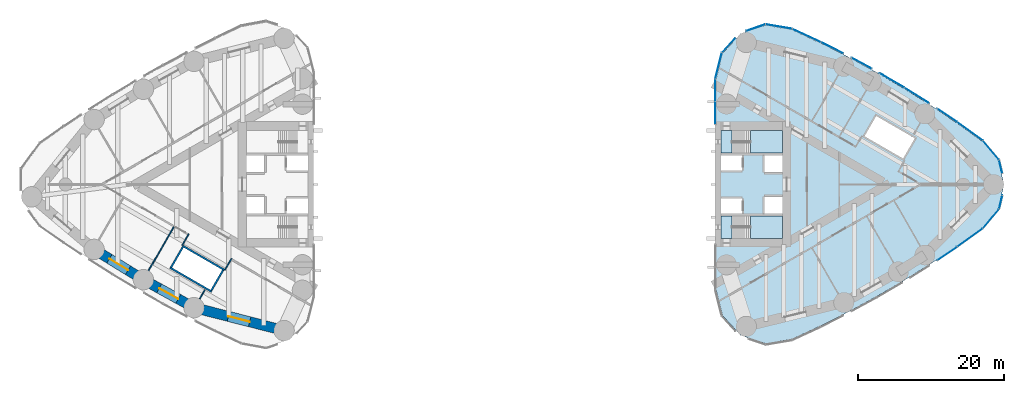
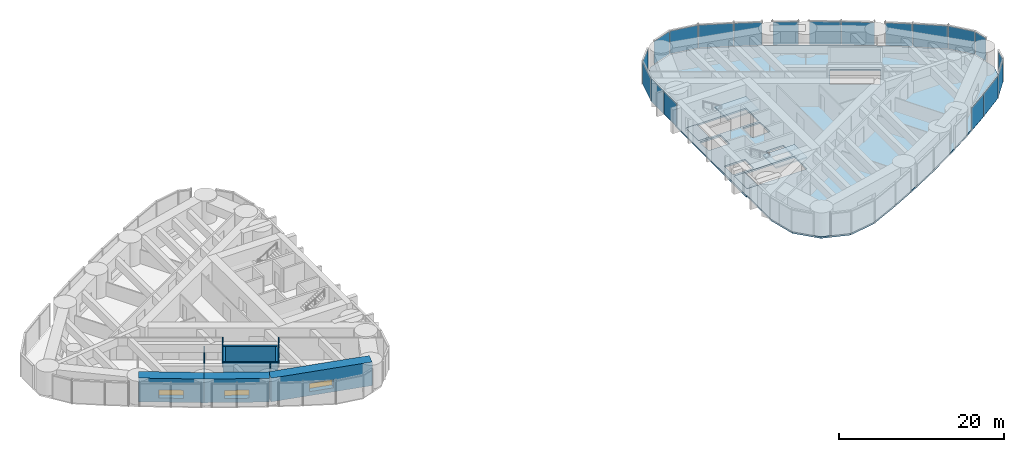
# One storey, part 11 of 17: 19 plates, 11 walls, 5 slabs, 3 windows, 3 openings, 8 elements without a shape of their own.
"""IFC4 building model written with IfcOpenShell, lengths in metres."""

from ifc_helpers import new_model, si_unit, direction, frame, frame_2d, origin, origin_2d, place, context, subcontext, project, spatial, polyline, rectangle, outline, extrude, material, layer, layer_set, type_object, element, fill, aggregate, save


model = new_model("IFC4")

# Units and contexts
model_context = context("Model", 3, precision=1e-05, world=origin(), true_north=direction((0.0, 1.0)))
body_context = subcontext(model_context, "Body", "Model", "MODEL_VIEW")
ifc_project = project(units=[si_unit("LENGTHUNIT", "METRE"), si_unit("AREAUNIT", "SQUARE_METRE"), si_unit("VOLUMEUNIT", "CUBIC_METRE"), si_unit("PLANEANGLEUNIT", "RADIAN"), si_unit("MASSUNIT", "GRAM", prefix="KILO")], contexts=[model_context])

# Site, building, storey
site_placement = place(None, origin())
site = spatial("IfcSite", under=ifc_project, at=site_placement, CompositionType="ELEMENT")
building_placement = place(site_placement, origin())
building = spatial("IfcBuilding", under=site, at=building_placement, Name="Lancet Gate Hotel", CompositionType="ELEMENT")
storey_placement = place(building_placement, frame((0.0, 0.0, 201.800048828125)))
storey = spatial("IfcBuildingStorey", under=building, at=storey_placement, Name="L54", CompositionType="ELEMENT", Elevation=201.800048828125)

# Slab
ifc_material_1 = material(Name="Concrete C50/60", Category="concrete")
ifc_layer_1 = layer(ifc_material_1, 0.25)
ifc_layer_set_1 = layer_set([ifc_layer_1], Name="Floor slab 250")
slab_type_1 = type_object("IfcSlabType", Name="Floor slab 250", PredefinedType="FLOOR", material=ifc_layer_set_1)
slab_1_placement = place(storey_placement, frame((0.0, 0.0, -0.25)))
element("IfcSlab", 1, at=slab_1_placement, inside=storey, type_object=slab_type_1, Name="T2 L54 floor slab", PredefinedType="FLOOR", context=body_context, shape_type="SweptSolid", body=[
    extrude(outline(polyline([(27.5, -8.60009765625), (27.6201171875, -8.60009765625), (27.6201171875, -14.450439453125), (28.517822265625, -17.9853515625), (30.98291015625, -20.65185546875), (34.421875, -21.819091796875), (38.01513671875, -21.201171875), (41.9296875, -19.383056640625), (45.796875, -17.435302734375), (49.6005859375, -15.36572265625), (53.336669921875, -13.1767578125), (57.00146484375, -10.87060546875), (60.591552734375, -8.44921875), (64.092041015625, -5.9228515625), (66.283447265625, -3.307373046875), (67.06640625, 0.0), (66.283447265625, 3.307373046875), (64.092041015625, 5.9228515625), (60.591552734375, 8.44921875), (57.00146484375, 10.87060546875), (53.336669921875, 13.1767578125), (49.6005859375, 15.36572265625), (45.796875, 17.435302734375), (41.9296875, 19.383056640625), (38.01513671875, 21.201171875), (34.421875, 21.819091796875), (30.98291015625, 20.65185546875), (28.517822265625, 17.9853515625), (27.6201171875, 14.450439453125), (27.6201171875, 8.60009765625), (27.5, 8.60009765625), (27.5, 8.199951171875), (27.5, -8.199951171875), (27.5, -8.60009765625)]), holes=[polyline([(36.699951171875, -7.39990234375), (36.699951171875, -4.300048828125), (28.300048828125, -4.300048828125), (28.300048828125, -7.39990234375), (36.699951171875, -7.39990234375)]), polyline([(28.300048828125, -4.0), (31.199951171875, -4.0), (31.199951171875, -1.89990234375), (28.300048828125, -1.89990234375), (28.300048828125, -4.0)]), polyline([(34.25, -4.0), (36.699951171875, -4.0), (36.699951171875, -1.64990234375), (34.25, -1.64990234375), (34.25, -4.0)]), polyline([(36.699951171875, 1.64990234375), (36.699951171875, 4.0), (34.25, 4.0), (34.25, 1.64990234375), (36.699951171875, 1.64990234375)]), polyline([(28.300048828125, 1.89990234375), (31.199951171875, 1.89990234375), (31.199951171875, 4.0), (28.300048828125, 4.0), (28.300048828125, 1.89990234375)]), polyline([(28.300048828125, 4.300048828125), (36.699951171875, 4.300048828125), (36.699951171875, 7.39990234375), (28.300048828125, 7.39990234375), (28.300048828125, 4.300048828125)]), polyline([(53.242919921875, 3.555908203125), (54.843017578125, 6.326904296875), (49.56103515625, 9.376953125), (47.9609375, 6.60595703125), (53.242919921875, 3.555908203125)])]), origin(), (0.0, 0.0, 1.0), 0.25),
])

# Stair, slabs
ifc_material_2 = material(Name="Exit stair 20 risers 1500")
stair_type = type_object("IfcStairType", Name="Exit stair 20 risers 1500", PredefinedType="HALF_TURN_STAIR", material=ifc_material_2)
stair_1_placement = place(storey_placement, origin())
stair_1 = element("IfcStair", 2, at=stair_1_placement, inside=storey, type_object=stair_type, Name="T2 stair 1 L54", PredefinedType="HALF_TURN_STAIR")
ifc_material_3 = material(Name="Concrete C40/50", Category="concrete")
ifc_layer_2 = layer(ifc_material_3, 0.199951171875)
ifc_layer_set_2 = layer_set([ifc_layer_2], Name="Stair landing 200")
slab_type_2 = type_object("IfcSlabType", Name="Stair landing 200", PredefinedType="LANDING", material=ifc_layer_set_2)
slab_2_placement = place(storey_placement, frame((0.0, 0.0, -0.199951171875)))
slab_2 = element("IfcSlab", 3, at=slab_2_placement, type_object=slab_type_2, Name="ST3 landing 1", PredefinedType="LANDING", context=body_context, shape_type="SweptSolid", body=[
    extrude(outline(polyline([(28.300048828125, -7.39990234375), (29.800048828125, -7.39990234375), (29.800048828125, -4.300048828125), (28.300048828125, -4.300048828125), (28.300048828125, -7.39990234375)])), origin(), (0.0, 0.0, 1.0), 0.199951171875),
])
slab_3_placement = place(storey_placement, frame((0.0, 0.0, 1.550048828125)))
slab_3 = element("IfcSlab", 4, at=slab_3_placement, type_object=slab_type_2, Name="ST3 landing 2", PredefinedType="LANDING", context=body_context, shape_type="SweptSolid", body=[
    extrude(outline(polyline([(32.320068359375, -7.39990234375), (36.699951171875, -7.39990234375), (36.699951171875, -4.300048828125), (32.320068359375, -4.300048828125), (32.320068359375, -7.39990234375)])), origin(), (0.0, 0.0, 1.0), 0.199951171875),
])
aggregate(stair_1, [slab_2, slab_3])

stair_2_placement = place(storey_placement, origin())
stair_2 = element("IfcStair", 5, at=stair_2_placement, inside=storey, type_object=stair_type, Name="T2 stair 2 L54", PredefinedType="HALF_TURN_STAIR")
slab_4_placement = place(storey_placement, frame((0.0, 0.0, -0.199951171875)))
slab_4 = element("IfcSlab", 6, at=slab_4_placement, type_object=slab_type_2, Name="ST4 landing 1", PredefinedType="LANDING", context=body_context, shape_type="SweptSolid", body=[
    extrude(outline(polyline([(28.300048828125, 4.300048828125), (29.800048828125, 4.300048828125), (29.800048828125, 7.39990234375), (28.300048828125, 7.39990234375), (28.300048828125, 4.300048828125)])), origin(), (0.0, 0.0, 1.0), 0.199951171875),
])
slab_5_placement = place(storey_placement, frame((0.0, 0.0, 1.550048828125)))
slab_5 = element("IfcSlab", 7, at=slab_5_placement, type_object=slab_type_2, Name="ST4 landing 2", PredefinedType="LANDING", context=body_context, shape_type="SweptSolid", body=[
    extrude(outline(polyline([(32.320068359375, 4.300048828125), (36.699951171875, 4.300048828125), (36.699951171875, 7.39990234375), (32.320068359375, 7.39990234375), (32.320068359375, 4.300048828125)])), origin(), (0.0, 0.0, 1.0), 0.199951171875),
])
aggregate(stair_2, [slab_4, slab_5])

# Curtain wall, plates
ifc_material_4 = material(Name="Aluminium curtain wall", Category="aluminium")
curtain_wall_type = type_object("IfcCurtainWallType", Name="Tower unitised curtain wall", PredefinedType="USERDEFINED", material=ifc_material_4)
curtain_wall_1_placement = place(storey_placement, origin())
curtain_wall_1 = element("IfcCurtainWall", 8, at=curtain_wall_1_placement, inside=storey, type_object=curtain_wall_type, Name="T2 L54 curtain wall 5", ObjectType="UNITISED CURTAIN WALL", PredefinedType="USERDEFINED")
ifc_material_5 = material(Name="Glass double glazed unit 8-16-6", Category="glass")
ifc_layer_3 = layer(ifc_material_5, 0.030029296875)
ifc_layer_set_3 = layer_set([ifc_layer_3], Name="Vision panel double glazed")
plate_type = type_object("IfcPlateType", Name="Vision panel double glazed", PredefinedType="CURTAIN_PANEL", material=ifc_layer_set_3)
plate_1_placement = place(storey_placement, frame((59.283447265625, -9.47607421875, 0.0), z_axis=(0.0, 0.0, 1.0), x_axis=(0.829038793948, 0.559191092677, 0.0)))
plate_1 = element("IfcPlate", 9, at=plate_1_placement, type_object=plate_type, Name="T2 L54 curtain wall 5 panel 1", PredefinedType="CURTAIN_PANEL", context=body_context, shape_type="SweptSolid", body=[
    extrude(rectangle(XDim=3.256103515625, YDim=0.030029296875, at=origin_2d()), origin(), (0.0, 0.0, 1.0), 3.35009765625),
])
plate_2_placement = place(storey_placement, frame((62.417236328125, -7.279541015625, 0.0), z_axis=(0.0, 0.0, 1.0), x_axis=(0.810891442127, 0.585196607206, 0.0)))
plate_2 = element("IfcPlate", 10, at=plate_2_placement, type_object=plate_type, Name="T2 L54 curtain wall 5 panel 2", PredefinedType="CURTAIN_PANEL", context=body_context, shape_type="SweptSolid", body=[
    extrude(rectangle(XDim=4.26904296875, YDim=0.030029296875, at=origin_2d()), origin(), (0.0, 0.0, 1.0), 3.35009765625),
])
plate_3_placement = place(storey_placement, frame((65.283935546875, -4.68701171875, 0.0), z_axis=(0.0, 0.0, 1.0), x_axis=(0.642198636854, 0.766538264422, 0.0)))
plate_3 = element("IfcPlate", 11, at=plate_3_placement, type_object=plate_type, Name="T2 L54 curtain wall 5 panel 3", PredefinedType="CURTAIN_PANEL", context=body_context, shape_type="SweptSolid", body=[
    extrude(rectangle(XDim=3.390380859375, YDim=0.030029296875, at=origin_2d()), origin(), (0.0, 0.0, 1.0), 3.35009765625),
])
plate_4_placement = place(storey_placement, frame((66.616455078125, -2.42138671875, 0.0), z_axis=(0.0, 0.0, 1.0), x_axis=(0.230366568544, 0.973103922558, 0.0)))
plate_4 = element("IfcPlate", 12, at=plate_4_placement, type_object=plate_type, Name="T2 L54 curtain wall 5 panel 4", PredefinedType="CURTAIN_PANEL", context=body_context, shape_type="SweptSolid", body=[
    extrude(rectangle(XDim=1.869140625, YDim=0.030029296875, at=origin_2d()), origin(), (0.0, 0.0, 1.0), 3.35009765625),
])
aggregate(curtain_wall_1, [plate_1, plate_2, plate_3, plate_4])

curtain_wall_2_placement = place(storey_placement, origin())
curtain_wall_2 = element("IfcCurtainWall", 13, at=curtain_wall_2_placement, inside=storey, type_object=curtain_wall_type, Name="T2 L54 curtain wall 6", ObjectType="UNITISED CURTAIN WALL", PredefinedType="USERDEFINED")
plate_5_placement = place(storey_placement, frame((66.616455078125, 2.42138671875, 0.0), z_axis=(0.0, 0.0, 1.0), x_axis=(-0.230366568544, 0.973103922558, 0.0)))
plate_5 = element("IfcPlate", 14, at=plate_5_placement, type_object=plate_type, Name="T2 L54 curtain wall 6 panel 1", PredefinedType="CURTAIN_PANEL", context=body_context, shape_type="SweptSolid", body=[
    extrude(rectangle(XDim=1.869140625, YDim=0.030029296875, at=origin_2d()), origin(), (0.0, 0.0, 1.0), 3.35009765625),
])
plate_6_placement = place(storey_placement, frame((65.283935546875, 4.68701171875, 0.0), z_axis=(0.0, 0.0, 1.0), x_axis=(-0.642198636854, 0.766538264422, 0.0)))
plate_6 = element("IfcPlate", 15, at=plate_6_placement, type_object=plate_type, Name="T2 L54 curtain wall 6 panel 2", PredefinedType="CURTAIN_PANEL", context=body_context, shape_type="SweptSolid", body=[
    extrude(rectangle(XDim=3.390380859375, YDim=0.030029296875, at=origin_2d()), origin(), (0.0, 0.0, 1.0), 3.35009765625),
])
plate_7_placement = place(storey_placement, frame((62.417236328125, 7.279541015625, 0.0), z_axis=(0.0, 0.0, 1.0), x_axis=(-0.810891442127, 0.585196607206, 0.0)))
plate_7 = element("IfcPlate", 16, at=plate_7_placement, type_object=plate_type, Name="T2 L54 curtain wall 6 panel 3", PredefinedType="CURTAIN_PANEL", context=body_context, shape_type="SweptSolid", body=[
    extrude(rectangle(XDim=4.26904296875, YDim=0.030029296875, at=origin_2d()), origin(), (0.0, 0.0, 1.0), 3.35009765625),
])
plate_8_placement = place(storey_placement, frame((59.283447265625, 9.47607421875, 0.0), z_axis=(0.0, 0.0, 1.0), x_axis=(-0.829038793948, 0.559191092677, 0.0)))
plate_8 = element("IfcPlate", 17, at=plate_8_placement, type_object=plate_type, Name="T2 L54 curtain wall 6 panel 4", PredefinedType="CURTAIN_PANEL", context=body_context, shape_type="SweptSolid", body=[
    extrude(rectangle(XDim=3.256103515625, YDim=0.030029296875, at=origin_2d()), origin(), (0.0, 0.0, 1.0), 3.35009765625),
])
aggregate(curtain_wall_2, [plate_5, plate_6, plate_7, plate_8])

curtain_wall_3_placement = place(storey_placement, origin())
curtain_wall_3 = element("IfcCurtainWall", 18, at=curtain_wall_3_placement, inside=storey, type_object=curtain_wall_type, Name="T2 L54 curtain wall 7", ObjectType="UNITISED CURTAIN WALL", PredefinedType="USERDEFINED")
plate_9_placement = place(storey_placement, frame((55.107421875, 12.204345703125, 0.0), z_axis=(0.0, 0.0, 1.0), x_axis=(-0.846352453444, 0.532623248225, 0.0)))
plate_9 = element("IfcPlate", 19, at=plate_9_placement, type_object=plate_type, Name="T2 L54 curtain wall 7 panel 1", PredefinedType="CURTAIN_PANEL", context=body_context, shape_type="SweptSolid", body=[
    extrude(rectangle(XDim=3.97216796875, YDim=0.030029296875, at=origin_2d()), origin(), (0.0, 0.0, 1.0), 3.35009765625),
])
plate_10_placement = place(storey_placement, frame((51.726318359375, 14.259521484375, 0.0), z_axis=(0.0, 0.0, 1.0), x_axis=(-0.862815009772, 0.505519790822, 0.0)))
plate_10 = element("IfcPlate", 20, at=plate_10_placement, type_object=plate_type, Name="T2 L54 curtain wall 7 panel 2", PredefinedType="CURTAIN_PANEL", context=body_context, shape_type="SweptSolid", body=[
    extrude(rectangle(XDim=3.8125, YDim=0.030029296875, at=origin_2d()), origin(), (0.0, 0.0, 1.0), 3.35009765625),
])
aggregate(curtain_wall_3, [plate_9, plate_10])

# Curtain wall, plate
curtain_wall_4_placement = place(storey_placement, origin())
curtain_wall_4 = element("IfcCurtainWall", 21, at=curtain_wall_4_placement, inside=storey, type_object=curtain_wall_type, Name="T2 L54 curtain wall 8", ObjectType="UNITISED CURTAIN WALL", PredefinedType="USERDEFINED")
plate_11_placement = place(storey_placement, frame((47.56640625, 16.609130859375, 0.0), z_axis=(0.0, 0.0, 1.0), x_axis=(-0.878409907967, 0.477907976063, 0.0)))
plate_11 = element("IfcPlate", 22, at=plate_11_placement, type_object=plate_type, Name="T2 L54 curtain wall 8 panel 1", PredefinedType="CURTAIN_PANEL", context=body_context, shape_type="SweptSolid", body=[
    extrude(rectangle(XDim=3.077392578125, YDim=0.030029296875, at=origin_2d()), origin(), (0.0, 0.0, 1.0), 3.35009765625),
])
aggregate(curtain_wall_4, [plate_11])

# Curtain wall, plates
curtain_wall_5_placement = place(storey_placement, origin())
curtain_wall_5 = element("IfcCurtainWall", 23, at=curtain_wall_5_placement, inside=storey, type_object=curtain_wall_type, Name="T2 L54 curtain wall 9", ObjectType="UNITISED CURTAIN WALL", PredefinedType="USERDEFINED")
plate_12_placement = place(storey_placement, frame((43.51318359375, 18.7197265625, 0.0), z_axis=(0.0, 0.0, 1.0), x_axis=(-0.893121465596, 0.449815570752, 0.0)))
plate_12 = element("IfcPlate", 24, at=plate_12_placement, type_object=plate_type, Name="T2 L54 curtain wall 9 panel 1", PredefinedType="CURTAIN_PANEL", context=body_context, shape_type="SweptSolid", body=[
    extrude(rectangle(XDim=3.364013671875, YDim=0.030029296875, at=origin_2d()), origin(), (0.0, 0.0, 1.0), 3.35009765625),
])
plate_13_placement = place(storey_placement, frame((40.0166015625, 20.40380859375, 0.0), z_axis=(0.0, 0.0, 1.0), x_axis=(-0.906934888522, 0.421270824982, 0.0)))
plate_13 = element("IfcPlate", 25, at=plate_13_placement, type_object=plate_type, Name="T2 L54 curtain wall 9 panel 2", PredefinedType="CURTAIN_PANEL", context=body_context, shape_type="SweptSolid", body=[
    extrude(rectangle(XDim=4.26904296875, YDim=0.030029296875, at=origin_2d()), origin(), (0.0, 0.0, 1.0), 3.35009765625),
])
plate_14_placement = place(storey_placement, frame((36.231689453125, 21.629638671875, 0.0), z_axis=(0.0, 0.0, 1.0), x_axis=(-0.985539649572, 0.169444973729, 0.0)))
plate_14 = element("IfcPlate", 26, at=plate_14_placement, type_object=plate_type, Name="T2 L54 curtain wall 9 panel 3", PredefinedType="CURTAIN_PANEL", context=body_context, shape_type="SweptSolid", body=[
    extrude(rectangle(XDim=3.62744140625, YDim=0.030029296875, at=origin_2d()), origin(), (0.0, 0.0, 1.0), 3.35009765625),
])
plate_15_placement = place(storey_placement, frame((33.05908203125, 21.483154296875, 0.0), z_axis=(0.0, 0.0, 1.0), x_axis=(-0.946952368511, -0.321373943827, 0.0)))
plate_15 = element("IfcPlate", 27, at=plate_15_placement, type_object=plate_type, Name="T2 L54 curtain wall 9 panel 4", PredefinedType="CURTAIN_PANEL", context=body_context, shape_type="SweptSolid", body=[
    extrude(rectangle(XDim=2.79296875, YDim=0.030029296875, at=origin_2d()), origin(), (0.0, 0.0, 1.0), 3.35009765625),
])
aggregate(curtain_wall_5, [plate_12, plate_13, plate_14, plate_15])

curtain_wall_6_placement = place(storey_placement, origin())
curtain_wall_6 = element("IfcCurtainWall", 28, at=curtain_wall_6_placement, inside=storey, type_object=curtain_wall_type, Name="T2 L54 curtain wall 10", ObjectType="UNITISED CURTAIN WALL", PredefinedType="USERDEFINED")
plate_16_placement = place(storey_placement, frame((29.349365234375, 19.0615234375, 0.0), z_axis=(0.0, 0.0, 1.0), x_axis=(-0.67883123083, -0.734294327943, 0.0)))
plate_16 = element("IfcPlate", 29, at=plate_16_placement, type_object=plate_type, Name="T2 L54 curtain wall 10 panel 1", PredefinedType="CURTAIN_PANEL", context=body_context, shape_type="SweptSolid", body=[
    extrude(rectangle(XDim=2.705322265625, YDim=0.030029296875, at=origin_2d()), origin(), (0.0, 0.0, 1.0), 3.35009765625),
])
plate_17_placement = place(storey_placement, frame((27.95458984375, 16.2548828125, 0.0), z_axis=(0.0, 0.0, 1.0), x_axis=(-0.246166705764, -0.969227503207, 0.0)))
plate_17 = element("IfcPlate", 30, at=plate_17_placement, type_object=plate_type, Name="T2 L54 curtain wall 10 panel 2", PredefinedType="CURTAIN_PANEL", context=body_context, shape_type="SweptSolid", body=[
    extrude(rectangle(XDim=3.62744140625, YDim=0.030029296875, at=origin_2d()), origin(), (0.0, 0.0, 1.0), 3.35009765625),
])
plate_18_placement = place(storey_placement, frame((27.5, 12.899169921875, 0.0), z_axis=(0.0, 0.0, 1.0), x_axis=(0.0, -1.0, 0.0)))
plate_18 = element("IfcPlate", 31, at=plate_18_placement, type_object=plate_type, Name="T2 L54 curtain wall 10 panel 3", PredefinedType="CURTAIN_PANEL", context=body_context, shape_type="SweptSolid", body=[
    extrude(rectangle(XDim=3.06787109375, YDim=0.030029296875, at=origin_2d()), origin(), (0.0, 0.0, 1.0), 3.35009765625),
])
plate_19_placement = place(storey_placement, frame((27.5, 9.766357421875, 0.0), z_axis=(0.0, 0.0, 1.0), x_axis=(0.0, -1.0, 0.0)))
plate_19 = element("IfcPlate", 32, at=plate_19_placement, type_object=plate_type, Name="T2 L54 curtain wall 10 panel 4", PredefinedType="CURTAIN_PANEL", context=body_context, shape_type="SweptSolid", body=[
    extrude(rectangle(XDim=3.06787109375, YDim=0.030029296875, at=origin_2d()), origin(), (0.0, 0.0, 1.0), 3.35009765625),
])
aggregate(curtain_wall_6, [plate_16, plate_17, plate_18, plate_19])

# Wall, opening, window
ifc_material_6 = material(Name="Concrete C80/95", Category="concrete")
ifc_layer_4 = layer(ifc_material_6, 1.39990234375)
ifc_layer_set_4 = layer_set([ifc_layer_4], Name="Belt wall 1400")
wall_type_1 = type_object("IfcWallType", Name="Belt wall 1400", PredefinedType="SHEAR", material=ifc_layer_set_4)
wall_1_placement = place(storey_placement, frame((-57.589599609375, -8.89306640625, 0.0), z_axis=(0.0, 0.0, 1.0), x_axis=(0.851892008043, -0.523717487423, 0.0)))
wall_1 = element("IfcWall", 33, at=wall_1_placement, inside=storey, type_object=wall_type_1, Name="T1 belt wall ON1-ON2 L54", PredefinedType="SHEAR", context=body_context, shape_type="SweptSolid", body=[
    extrude(rectangle(XDim=7.92431640625, YDim=1.39990234375, at=frame_2d((3.962158203125, 0.0))), origin(), (0.0, 0.0, 1.0), 3.5),
])
opening_1_placement = place(wall_1_placement, frame((2.462158203125, 0.0, 0.60009765625)))
opening_1 = element("IfcOpeningElement", 34, at=opening_1_placement, cuts=wall_1, Name="Opening LV1", PredefinedType="OPENING", context=body_context, shape_type="SweptSolid", body=[
    extrude(rectangle(XDim=3.0, YDim=1.199951171875, at=frame_2d((1.5, 0.60009765625))), frame((0.0, 0.7099609375, 0.0), z_axis=(0.0, -1.0, 0.0), x_axis=(1.0, 0.0, 0.0)), (0.0, 0.0, 1.0), 1.419921875),
])
ifc_material_7 = material(Name="Aluminium weather louvre", Category="aluminium")
window_type = type_object("IfcWindowType", Name="Refuge louvre 3000x1200", PartitioningType="SINGLE_PANEL", PredefinedType="WINDOW", material=ifc_material_7)
window_1_placement = place(opening_1_placement, origin())
window_1 = element("IfcWindow", 35, at=window_1_placement, inside=storey, type_object=window_type, Name="T1 belt louvre ON1-ON2 L54", OverallHeight=1.199951171875, OverallWidth=3.0, PartitioningType="SINGLE_PANEL", PredefinedType="WINDOW", context=body_context, shape_type="SweptSolid", body=[
    extrude(rectangle(XDim=3.0, YDim=1.199951171875, at=frame_2d((1.5, 0.60009765625))), frame((0.0, 0.030029296875, 0.0), z_axis=(0.0, -1.0, 0.0), x_axis=(1.0, 0.0, 0.0)), (0.0, 0.0, 1.0), 0.06005859375),
])
fill(opening_1, window_1)

wall_2_placement = place(storey_placement, frame((-50.8388671875, -13.043212890625, 0.0), z_axis=(0.0, 0.0, 1.0), x_axis=(0.875577684027, -0.483077342911, 0.0)))
wall_2 = element("IfcWall", 36, at=wall_2_placement, inside=storey, type_object=wall_type_1, Name="T1 belt wall ON2-ON3 L54", PredefinedType="SHEAR", context=body_context, shape_type="SweptSolid", body=[
    extrude(rectangle(XDim=7.924560546875, YDim=1.39990234375, at=frame_2d((3.96240234375, 0.0))), origin(), (0.0, 0.0, 1.0), 3.5),
])
opening_2_placement = place(wall_2_placement, frame((2.462158203125, 0.0, 0.60009765625)))
opening_2 = element("IfcOpeningElement", 37, at=opening_2_placement, cuts=wall_2, Name="Opening LV1", PredefinedType="OPENING", context=body_context, shape_type="SweptSolid", body=[
    extrude(rectangle(XDim=3.0, YDim=1.199951171875, at=frame_2d((1.5, 0.60009765625))), frame((0.0, 0.7099609375, 0.0), z_axis=(0.0, -1.0, 0.0), x_axis=(1.0, 0.0, 0.0)), (0.0, 0.0, 1.0), 1.419921875),
])
window_2_placement = place(opening_2_placement, origin())
window_2 = element("IfcWindow", 38, at=window_2_placement, inside=storey, type_object=window_type, Name="T1 belt louvre ON2-ON3 L54", OverallHeight=1.199951171875, OverallWidth=3.0, PartitioningType="SINGLE_PANEL", PredefinedType="WINDOW", context=body_context, shape_type="SweptSolid", body=[
    extrude(rectangle(XDim=3.0, YDim=1.199951171875, at=frame_2d((1.5, 0.60009765625))), frame((0.0, 0.030029296875, 0.0), z_axis=(0.0, -1.0, 0.0), x_axis=(1.0, 0.0, 0.0)), (0.0, 0.0, 1.0), 0.06005859375),
])
fill(opening_2, window_2)

wall_3_placement = place(storey_placement, frame((-43.900390625, -16.871337890625, 0.0), z_axis=(0.0, 0.0, 1.0), x_axis=(0.969008414312, -0.247027717052, 0.0)))
wall_3 = element("IfcWall", 39, at=wall_3_placement, inside=storey, type_object=wall_type_1, Name="T1 belt wall ON3-CN L54", PredefinedType="SHEAR", context=body_context, shape_type="SweptSolid", body=[
    extrude(rectangle(XDim=12.7294921875, YDim=1.39990234375, at=frame_2d((6.36474609375, 0.0))), origin(), (0.0, 0.0, 1.0), 3.5),
])
opening_3_placement = place(wall_3_placement, frame((4.86474609375, 0.0, 0.60009765625)))
opening_3 = element("IfcOpeningElement", 40, at=opening_3_placement, cuts=wall_3, Name="Opening LV1", PredefinedType="OPENING", context=body_context, shape_type="SweptSolid", body=[
    extrude(rectangle(XDim=3.0, YDim=1.199951171875, at=frame_2d((1.5, 0.60009765625))), frame((0.0, 0.7099609375, 0.0), z_axis=(0.0, -1.0, 0.0), x_axis=(1.0, 0.0, 0.0)), (0.0, 0.0, 1.0), 1.419921875),
])
window_3_placement = place(opening_3_placement, origin())
window_3 = element("IfcWindow", 41, at=window_3_placement, inside=storey, type_object=window_type, Name="T1 belt louvre ON3-CN L54", OverallHeight=1.199951171875, OverallWidth=3.0, PartitioningType="SINGLE_PANEL", PredefinedType="WINDOW", context=body_context, shape_type="SweptSolid", body=[
    extrude(rectangle(XDim=3.0, YDim=1.199951171875, at=frame_2d((1.5, 0.60009765625))), frame((0.0, 0.030029296875, 0.0), z_axis=(0.0, -1.0, 0.0), x_axis=(1.0, 0.0, 0.0)), (0.0, 0.0, 1.0), 0.06005859375),
])
fill(opening_3, window_3)

# Walls
ifc_material_8 = material(Name="Gypsum board partition")
ifc_layer_5 = layer(ifc_material_8, 0.25)
ifc_layer_set_5 = layer_set([ifc_layer_5], Name="Lift shaft partition 250")
wall_type_2 = type_object("IfcWallType", Name="Lift shaft partition 250", PredefinedType="PARTITIONING", material=ifc_layer_set_5)
wall_4_placement = place(storey_placement, frame((-39.757568359375, -11.697265625, 0.0), z_axis=(0.0, 0.0, 1.0), x_axis=(-0.866024194504, 0.500002094529, 0.0)))
element("IfcWall", 42, at=wall_4_placement, inside=storey, type_object=wall_type_2, Name="T1 lift shaft wall HL L54", PredefinedType="PARTITIONING", context=body_context, shape_type="SweptSolid", body=[
    extrude(rectangle(XDim=6.60009765625, YDim=0.25, at=frame_2d((3.300048828125, 0.0))), origin(), (0.0, 0.0, 1.0), 3.25),
])
wall_5_placement = place(storey_placement, frame((-41.482421875, -14.685791015625, 0.0), z_axis=(0.0, 0.0, 1.0), x_axis=(-0.86603344179, 0.499986077507, 0.0)))
element("IfcWall", 43, at=wall_5_placement, inside=storey, type_object=wall_type_2, Name="T1 lift shaft wall HL L54", PredefinedType="PARTITIONING", context=body_context, shape_type="SweptSolid", body=[
    extrude(rectangle(XDim=6.600341796875, YDim=0.25, at=frame_2d((3.30029296875, 0.0))), origin(), (0.0, 0.0, 1.0), 3.25),
])
for number, where, z_axis, x_axis, name in (
    (44, (-39.92822265625, -11.742919921875, 0.0), (0.0, 0.0, 1.0), (-0.499929347863, -0.866066190972, 0.0), "T1 lift shaft wall HL L54"),
    (45, (-45.427734375, -8.568115234375, 0.0), (0.0, 0.0, 1.0), (-0.499929347863, -0.866066190972, 0.0), "T1 lift shaft wall HL L54"),
):
    element("IfcWall", number, at=place(storey_placement, frame(where, z_axis=z_axis, x_axis=x_axis)), inside=storey, type_object=wall_type_2, Name=name, PredefinedType="PARTITIONING", context=body_context, shape_type="SweptSolid", body=[
        extrude(rectangle(XDim=3.20068359375, YDim=0.25, at=frame_2d((1.600341796875, 0.0))), origin(), (0.0, 0.0, 1.0), 3.25),
    ])
ifc_material_9 = material(Name="Gypsum board partition")
ifc_layer_6 = layer(ifc_material_9, 0.14990234375)
ifc_layer_set_6 = layer_set([ifc_layer_6], Name="Party wall 150")
wall_type_3 = type_object("IfcWallType", Name="Party wall 150", PredefinedType="PARTITIONING", material=ifc_layer_set_6)
wall_6_placement = place(storey_placement, frame((-46.6787109375, -5.8251953125, 0.0), z_axis=(0.0, 0.0, 1.0), x_axis=(-0.500006839597, -0.866021454905, 0.0)))
element("IfcWall", 46, at=wall_6_placement, inside=storey, type_object=wall_type_3, Name="T1 party wall 150 L54", PredefinedType="PARTITIONING", context=body_context, shape_type="SweptSolid", body=[
    extrude(rectangle(XDim=6.9111328125, YDim=0.14990234375, at=frame_2d((3.45556640625, 0.0))), origin(), (0.0, 0.0, 1.0), 2.050048828125),
])
wall_7_placement = place(storey_placement, frame((-42.429443359375, -14.45654296875, 0.0), z_axis=(0.0, 0.0, 1.0), x_axis=(-0.5000578829, -0.865991982497, 0.0)))
element("IfcWall", 47, at=wall_7_placement, inside=storey, type_object=wall_type_3, Name="T1 party wall 150 L54", PredefinedType="PARTITIONING", context=body_context, shape_type="SweptSolid", body=[
    extrude(rectangle(XDim=1.406982421875, YDim=0.14990234375, at=frame_2d((0.70361328125, 0.0))), origin(), (0.0, 0.0, 1.0), 3.25),
])
ifc_material_10 = material(Name="Gypsum board partition")
ifc_layer_7 = layer(ifc_material_10, 0.14990234375)
ifc_layer_set_7 = layer_set([ifc_layer_7], Name="Service room wall 150")
wall_type_4 = type_object("IfcWallType", Name="Service room wall 150", PredefinedType="PARTITIONING", material=ifc_layer_set_7)
for number, where, z_axis, x_axis, name in (
    (48, (-44.6259765625, -6.779296875, 0.0), (0.0, 0.0, 1.0), (-0.500022947832, -0.866012154442, 0.0), "T1 service room wall 150 L54"),
    (49, (-39.6826171875, -11.717529296875, 0.0), (0.0, 0.0, 1.0), (0.514336634837, 0.857588377991, 0.0), "T1 service room wall 150 L54"),
):
    element("IfcWall", number, at=place(storey_placement, frame(where, z_axis=z_axis, x_axis=x_axis)), inside=storey, type_object=wall_type_4, Name=name, PredefinedType="PARTITIONING", context=body_context, shape_type="SweptSolid", body=[
        extrude(rectangle(XDim=1.80517578125, YDim=0.14990234375, at=frame_2d((0.902587890625, 0.0))), origin(), (0.0, 0.0, 1.0), 3.25),
    ])

save(model, "model.ifc")
